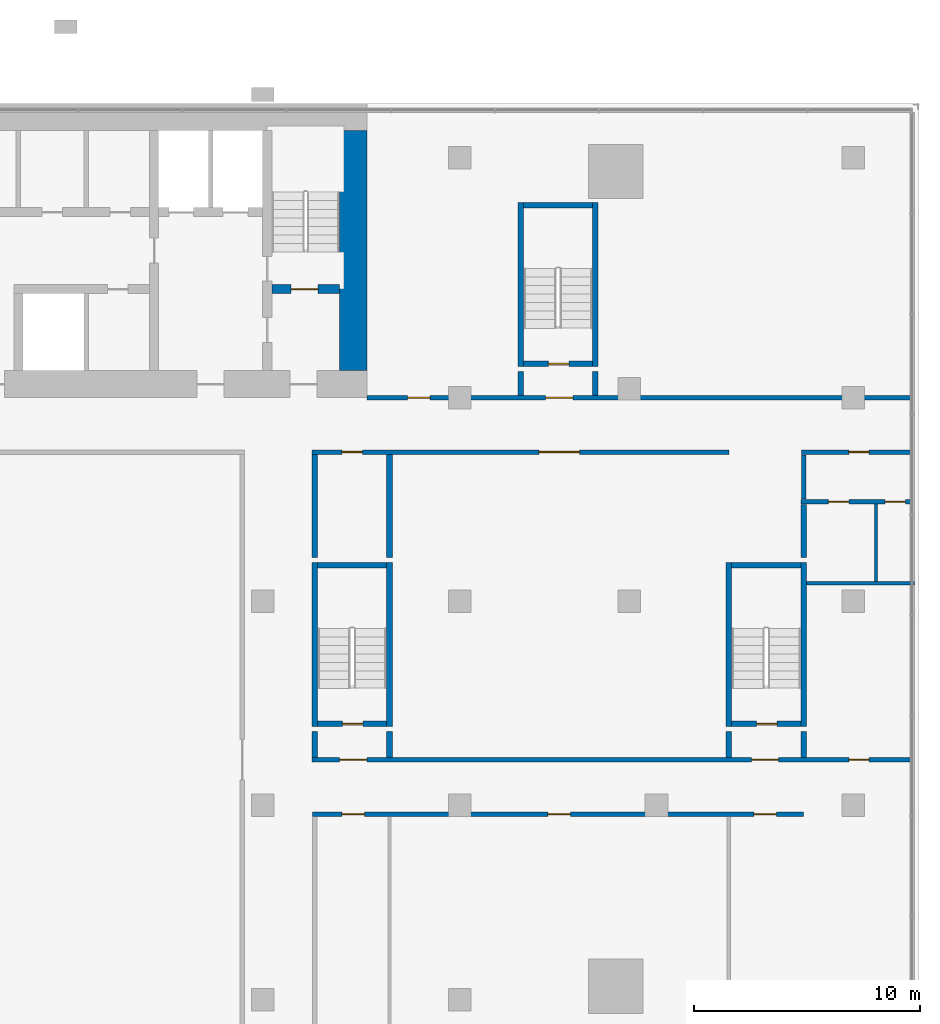
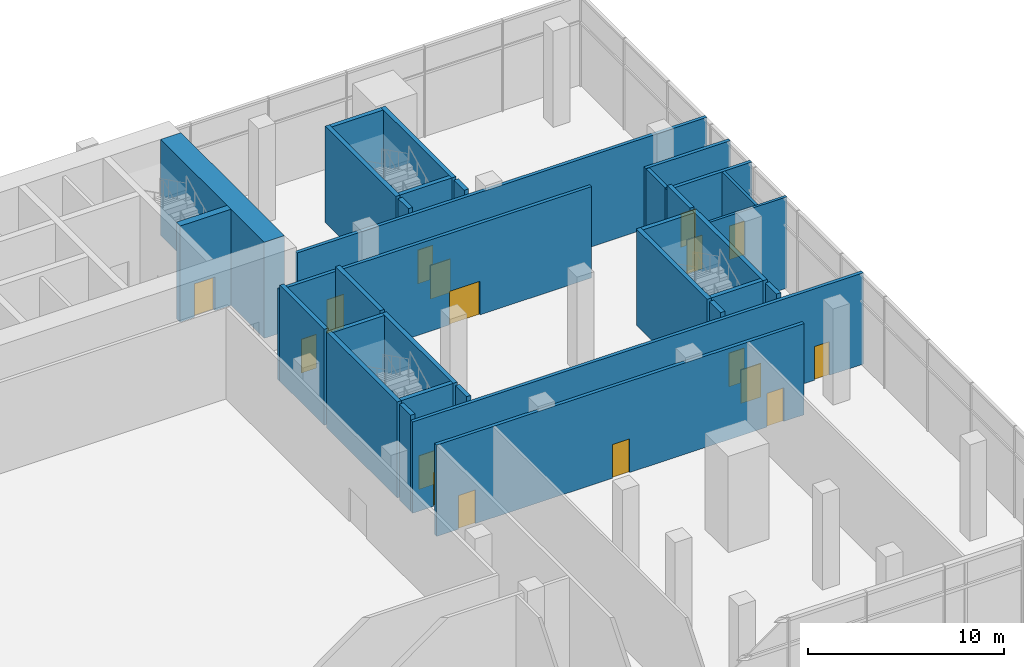
# One storey, part 15 of 21: 32 walls, 17 doors, 17 openings.
"""IFC4 building model written with IfcOpenShell, lengths in metres."""

from ifc_helpers import new_model, si_unit, direction, frame, frame_2d, origin, place, context, subcontext, project, spatial, rectangle, extrude, material, layer, layer_set, type_object, element, fill, save


model = new_model("IFC4")

# Units and contexts
model_context = context("Model", 3, precision=1e-05, world=origin(), true_north=direction((0.0, 1.0)))
body_context = subcontext(model_context, "Body", "Model", "MODEL_VIEW")
ifc_project = project(units=[si_unit("LENGTHUNIT", "METRE"), si_unit("AREAUNIT", "SQUARE_METRE"), si_unit("VOLUMEUNIT", "CUBIC_METRE"), si_unit("PLANEANGLEUNIT", "RADIAN"), si_unit("MASSUNIT", "GRAM", prefix="KILO")], contexts=[model_context])

# Site, building, storey
site_placement = place(None, origin())
site = spatial("IfcSite", under=ifc_project, at=site_placement, CompositionType="ELEMENT")
building_placement = place(site_placement, origin())
building = spatial("IfcBuilding", under=site, at=building_placement, Name="Bicima Exchange Tower", CompositionType="ELEMENT")
storey_placement = place(building_placement, frame((0.0, 0.0, 8.0)))
storey = spatial("IfcBuildingStorey", under=building, at=storey_placement, Name="L01", CompositionType="ELEMENT", Elevation=8.0)

# Wall, openings, doors
ifc_material_1 = material(Name="Gypsum board partition")
ifc_layer_1 = layer(ifc_material_1, 0.199951171875)
ifc_layer_set_1 = layer_set([ifc_layer_1], Name="Gypsum board partition")
wall_type_1 = type_object("IfcWallType", Name="Fire-rated gypsum partition 200 EI60", PredefinedType="PARTITIONING", material=ifc_layer_set_1)
wall_1_placement = place(storey_placement, frame((19.60009765625, -31.39990234375, 0.0), z_axis=(0.0, 0.0, 1.0), x_axis=(1.0, 0.0, 0.0)))
wall_1 = element("IfcWall", 1, at=wall_1_placement, inside=storey, type_object=wall_type_1, Name="partition wall 4", PredefinedType="PARTITIONING", context=body_context, shape_type="SweptSolid", body=[
    extrude(rectangle(XDim=21.699951171875, YDim=0.199951171875, at=frame_2d((10.85009765625, 0.0))), origin(), (0.0, 0.0, 1.0), 5.699951171875),
])
opening_1_placement = place(wall_1_placement, frame((1.300048828125, 0.0, 0.0)))
opening_1 = element("IfcOpeningElement", 2, at=opening_1_placement, cuts=wall_1, Name="Opening L01-027", PredefinedType="OPENING", context=body_context, shape_type="SweptSolid", body=[
    extrude(rectangle(XDim=1.0, YDim=2.10009765625, at=frame_2d((0.5, 1.050048828125))), frame((0.0, 0.11181640625, 0.0), z_axis=(0.0, -1.0, 0.0), x_axis=(1.0, 0.0, 0.0)), (0.0, 0.0, 1.0), 0.223876953125),
])
opening_2_placement = place(wall_1_placement, frame((10.39990234375, 0.0, 0.0)))
opening_2 = element("IfcOpeningElement", 3, at=opening_2_placement, cuts=wall_1, Name="Opening L01-029", PredefinedType="OPENING", context=body_context, shape_type="SweptSolid", body=[
    extrude(rectangle(XDim=1.0, YDim=2.10009765625, at=frame_2d((0.5, 1.050048828125))), frame((0.0, 0.11181640625, 0.0), z_axis=(0.0, -1.0, 0.0), x_axis=(1.0, 0.0, 0.0)), (0.0, 0.0, 1.0), 0.223876953125),
])
opening_3_placement = place(wall_1_placement, frame((19.5, 0.0, 0.0)))
opening_3 = element("IfcOpeningElement", 4, at=opening_3_placement, cuts=wall_1, Name="Opening L01-031", PredefinedType="OPENING", context=body_context, shape_type="SweptSolid", body=[
    extrude(rectangle(XDim=1.0, YDim=2.10009765625, at=frame_2d((0.5, 1.050048828125))), frame((0.0, 0.11181640625, 0.0), z_axis=(0.0, -1.0, 0.0), x_axis=(1.0, 0.0, 0.0)), (0.0, 0.0, 1.0), 0.223876953125),
])
ifc_material_2 = material(Name="Steel fire door leaf", Category="steel")
door_type_1 = type_object("IfcDoorType", Name="Door 1000 swing FD30S", OperationType="SINGLE_SWING_LEFT", PredefinedType="DOOR", material=ifc_material_2)
door_1_placement = place(opening_1_placement, frame((1.0, 0.0, 0.0), z_axis=(0.0, 0.0, 1.0), x_axis=(-1.0, 0.0, 0.0)))
door_1 = element("IfcDoor", 5, at=door_1_placement, inside=storey, type_object=door_type_1, Name="Door", OperationType="SINGLE_SWING_RIGHT", OverallHeight=2.10009765625, OverallWidth=1.0, PredefinedType="DOOR", context=body_context, shape_type="SweptSolid", body=[
    extrude(rectangle(XDim=1.0, YDim=2.10009765625, at=frame_2d((0.5, 1.050048828125))), frame((0.0, 0.02490234375, 0.0), z_axis=(0.0, -1.0, 0.0), x_axis=(1.0, 0.0, 0.0)), (0.0, 0.0, 1.0), 0.050048828125),
])
fill(opening_1, door_1)
door_2_placement = place(opening_2_placement, frame((1.0, 0.0, 0.0), z_axis=(0.0, 0.0, 1.0), x_axis=(-1.0, 0.0, 0.0)))
door_2 = element("IfcDoor", 6, at=door_2_placement, inside=storey, type_object=door_type_1, Name="Door", OperationType="SINGLE_SWING_RIGHT", OverallHeight=2.10009765625, OverallWidth=1.0, PredefinedType="DOOR", context=body_context, shape_type="SweptSolid", body=[
    extrude(rectangle(XDim=1.0, YDim=2.10009765625, at=frame_2d((0.5, 1.050048828125))), frame((0.0, 0.02490234375, 0.0), z_axis=(0.0, -1.0, 0.0), x_axis=(1.0, 0.0, 0.0)), (0.0, 0.0, 1.0), 0.050048828125),
])
fill(opening_2, door_2)
door_3_placement = place(opening_3_placement, frame((1.0, 0.0, 0.0), z_axis=(0.0, 0.0, 1.0), x_axis=(-1.0, 0.0, 0.0)))
door_3 = element("IfcDoor", 7, at=door_3_placement, inside=storey, type_object=door_type_1, Name="Door", OperationType="SINGLE_SWING_LEFT", OverallHeight=2.10009765625, OverallWidth=1.0, PredefinedType="DOOR", context=body_context, shape_type="SweptSolid", body=[
    extrude(rectangle(XDim=1.0, YDim=2.10009765625, at=frame_2d((0.5, 1.050048828125))), frame((0.0, 0.02490234375, 0.0), z_axis=(0.0, -1.0, 0.0), x_axis=(1.0, 0.0, 0.0)), (0.0, 0.0, 1.0), 0.050048828125),
])
fill(opening_3, door_3)

wall_2_placement = place(storey_placement, frame((19.574951171875, -29.0, 0.0), z_axis=(0.0, 0.0, 1.0), x_axis=(1.0, 0.0, 0.0)))
wall_2 = element("IfcWall", 8, at=wall_2_placement, inside=storey, type_object=wall_type_1, Name="partition wall 6", PredefinedType="PARTITIONING", context=body_context, shape_type="SweptSolid", body=[
    extrude(rectangle(XDim=26.614990234375, YDim=0.199951171875, at=frame_2d((13.3076171875, 0.0))), origin(), (0.0, 0.0, 1.0), 5.699951171875),
])
opening_4_placement = place(wall_2_placement, frame((1.22509765625, 0.0, 0.0)))
opening_4 = element("IfcOpeningElement", 9, at=opening_4_placement, cuts=wall_2, Name="Opening L01-005", PredefinedType="OPENING", context=body_context, shape_type="SweptSolid", body=[
    extrude(rectangle(XDim=1.199951171875, YDim=2.10009765625, at=frame_2d((0.60009765625, 1.050048828125))), frame((0.0, 0.11181640625, 0.0), z_axis=(0.0, -1.0, 0.0), x_axis=(1.0, 0.0, 0.0)), (0.0, 0.0, 1.0), 0.223876953125),
])
opening_5_placement = place(wall_2_placement, frame((19.425048828125, 0.0, 0.0)))
opening_5 = element("IfcOpeningElement", 10, at=opening_5_placement, cuts=wall_2, Name="Opening L01-007", PredefinedType="OPENING", context=body_context, shape_type="SweptSolid", body=[
    extrude(rectangle(XDim=1.199951171875, YDim=2.10009765625, at=frame_2d((0.60009765625, 1.050048828125))), frame((0.0, 0.11181640625, 0.0), z_axis=(0.0, -1.0, 0.0), x_axis=(1.0, 0.0, 0.0)), (0.0, 0.0, 1.0), 0.223876953125),
])
opening_6_placement = place(wall_2_placement, frame((23.72509765625, 0.0, 0.0)))
opening_6 = element("IfcOpeningElement", 11, at=opening_6_placement, cuts=wall_2, Name="Opening L01-030", PredefinedType="OPENING", context=body_context, shape_type="SweptSolid", body=[
    extrude(rectangle(XDim=0.89990234375, YDim=2.10009765625, at=frame_2d((0.449951171875, 1.050048828125))), frame((0.0, 0.11181640625, 0.0), z_axis=(0.0, -1.0, 0.0), x_axis=(1.0, 0.0, 0.0)), (0.0, 0.0, 1.0), 0.223876953125),
])
door_type_2 = type_object("IfcDoorType", Name="Door 1200 swing FD30S", OperationType="SINGLE_SWING_LEFT", PredefinedType="DOOR", material=ifc_material_2)
door_4_placement = place(opening_4_placement, origin())
door_4 = element("IfcDoor", 12, at=door_4_placement, inside=storey, type_object=door_type_2, Name="Door", OperationType="SINGLE_SWING_LEFT", OverallHeight=2.10009765625, OverallWidth=1.199951171875, PredefinedType="DOOR", context=body_context, shape_type="SweptSolid", body=[
    extrude(rectangle(XDim=1.199951171875, YDim=2.10009765625, at=frame_2d((0.60009765625, 1.050048828125))), frame((0.0, 0.02490234375, 0.0), z_axis=(0.0, -1.0, 0.0), x_axis=(1.0, 0.0, 0.0)), (0.0, 0.0, 1.0), 0.050048828125),
])
fill(opening_4, door_4)
door_5_placement = place(opening_5_placement, origin())
door_5 = element("IfcDoor", 13, at=door_5_placement, inside=storey, type_object=door_type_2, Name="Door", OperationType="SINGLE_SWING_LEFT", OverallHeight=2.10009765625, OverallWidth=1.199951171875, PredefinedType="DOOR", context=body_context, shape_type="SweptSolid", body=[
    extrude(rectangle(XDim=1.199951171875, YDim=2.10009765625, at=frame_2d((0.60009765625, 1.050048828125))), frame((0.0, 0.02490234375, 0.0), z_axis=(0.0, -1.0, 0.0), x_axis=(1.0, 0.0, 0.0)), (0.0, 0.0, 1.0), 0.050048828125),
])
fill(opening_5, door_5)
door_type_3 = type_object("IfcDoorType", Name="Door 900 swing FD30S", OperationType="SINGLE_SWING_LEFT", PredefinedType="DOOR", material=ifc_material_2)
door_6_placement = place(opening_6_placement, origin())
door_6 = element("IfcDoor", 14, at=door_6_placement, inside=storey, type_object=door_type_3, Name="Door", OperationType="SINGLE_SWING_RIGHT", OverallHeight=2.10009765625, OverallWidth=0.89990234375, PredefinedType="DOOR", context=body_context, shape_type="SweptSolid", body=[
    extrude(rectangle(XDim=0.89990234375, YDim=2.10009765625, at=frame_2d((0.449951171875, 1.050048828125))), frame((0.0, 0.02490234375, 0.0), z_axis=(0.0, -1.0, 0.0), x_axis=(1.0, 0.0, 0.0)), (0.0, 0.0, 1.0), 0.050048828125),
])
fill(opening_6, door_6)

wall_3_placement = place(storey_placement, frame((41.175048828125, -17.60009765625, 0.0), z_axis=(0.0, 0.0, 1.0), x_axis=(1.0, 0.0, 0.0)))
wall_3 = element("IfcWall", 15, at=wall_3_placement, inside=storey, type_object=wall_type_1, Name="partition wall 16", PredefinedType="PARTITIONING", context=body_context, shape_type="SweptSolid", body=[
    extrude(rectangle(XDim=5.014892578125, YDim=0.199951171875, at=frame_2d((2.50732421875, 0.0))), origin(), (0.0, 0.0, 1.0), 5.699951171875),
])
opening_7_placement = place(wall_3_placement, frame((1.22509765625, 0.0, 0.0)))
opening_7 = element("IfcOpeningElement", 16, at=opening_7_placement, cuts=wall_3, Name="Opening L01-033", PredefinedType="OPENING", context=body_context, shape_type="SweptSolid", body=[
    extrude(rectangle(XDim=0.89990234375, YDim=2.10009765625, at=frame_2d((0.449951171875, 1.050048828125))), frame((0.0, 0.11181640625, 0.0), z_axis=(0.0, -1.0, 0.0), x_axis=(1.0, 0.0, 0.0)), (0.0, 0.0, 1.0), 0.223876953125),
])
opening_8_placement = place(wall_3_placement, frame((3.72509765625, 0.0, 0.0)))
opening_8 = element("IfcOpeningElement", 17, at=opening_8_placement, cuts=wall_3, Name="Opening L01-034", PredefinedType="OPENING", context=body_context, shape_type="SweptSolid", body=[
    extrude(rectangle(XDim=0.89990234375, YDim=2.10009765625, at=frame_2d((0.449951171875, 1.050048828125))), frame((0.0, 0.11181640625, 0.0), z_axis=(0.0, -1.0, 0.0), x_axis=(1.0, 0.0, 0.0)), (0.0, 0.0, 1.0), 0.223876953125),
])
door_7_placement = place(opening_7_placement, frame((0.89990234375, 0.0, 0.0), z_axis=(0.0, 0.0, 1.0), x_axis=(-1.0, 0.0, 0.0)))
door_7 = element("IfcDoor", 18, at=door_7_placement, inside=storey, type_object=door_type_3, Name="Door", OperationType="SINGLE_SWING_RIGHT", OverallHeight=2.10009765625, OverallWidth=0.89990234375, PredefinedType="DOOR", context=body_context, shape_type="SweptSolid", body=[
    extrude(rectangle(XDim=0.89990234375, YDim=2.10009765625, at=frame_2d((0.449951171875, 1.050048828125))), frame((0.0, 0.02490234375, 0.0), z_axis=(0.0, -1.0, 0.0), x_axis=(1.0, 0.0, 0.0)), (0.0, 0.0, 1.0), 0.050048828125),
])
fill(opening_7, door_7)
door_8_placement = place(opening_8_placement, frame((0.89990234375, 0.0, 0.0), z_axis=(0.0, 0.0, 1.0), x_axis=(-1.0, 0.0, 0.0)))
door_8 = element("IfcDoor", 19, at=door_8_placement, inside=storey, type_object=door_type_3, Name="Door", OperationType="SINGLE_SWING_LEFT", OverallHeight=2.10009765625, OverallWidth=0.89990234375, PredefinedType="DOOR", context=body_context, shape_type="SweptSolid", body=[
    extrude(rectangle(XDim=0.89990234375, YDim=2.10009765625, at=frame_2d((0.449951171875, 1.050048828125))), frame((0.0, 0.02490234375, 0.0), z_axis=(0.0, -1.0, 0.0), x_axis=(1.0, 0.0, 0.0)), (0.0, 0.0, 1.0), 0.050048828125),
])
fill(opening_8, door_8)

wall_4_placement = place(storey_placement, frame((19.574951171875, -15.39990234375, 0.0), z_axis=(0.0, 0.0, 1.0), x_axis=(1.0, 0.0, 0.0)))
wall_4 = element("IfcWall", 20, at=wall_4_placement, inside=storey, type_object=wall_type_1, Name="partition wall 19", PredefinedType="PARTITIONING", context=body_context, shape_type="SweptSolid", body=[
    extrude(rectangle(XDim=18.425048828125, YDim=0.199951171875, at=frame_2d((9.21240234375, 0.0))), origin(), (0.0, 0.0, 1.0), 5.699951171875),
])
opening_9_placement = place(wall_4_placement, frame((1.324951171875, 0.0, 0.0)))
opening_9 = element("IfcOpeningElement", 21, at=opening_9_placement, cuts=wall_4, Name="Opening L01-026", PredefinedType="OPENING", context=body_context, shape_type="SweptSolid", body=[
    extrude(rectangle(XDim=0.89990234375, YDim=2.10009765625, at=frame_2d((0.449951171875, 1.050048828125))), frame((0.0, 0.11181640625, 0.0), z_axis=(0.0, -1.0, 0.0), x_axis=(1.0, 0.0, 0.0)), (0.0, 0.0, 1.0), 0.223876953125),
])
opening_10_placement = place(wall_4_placement, frame((10.02490234375, 0.0, 0.0)))
opening_10 = element("IfcOpeningElement", 22, at=opening_10_placement, cuts=wall_4, Name="Opening L01-028", PredefinedType="OPENING", context=body_context, shape_type="SweptSolid", body=[
    extrude(rectangle(XDim=1.800048828125, YDim=2.10009765625, at=frame_2d((0.89990234375, 1.050048828125))), frame((0.0, 0.11181640625, 0.0), z_axis=(0.0, -1.0, 0.0), x_axis=(1.0, 0.0, 0.0)), (0.0, 0.0, 1.0), 0.223876953125),
])
door_type_4 = type_object("IfcDoorType", Name="Door 1800 double swing FD30S", OperationType="DOUBLE_DOOR_SINGLE_SWING", PredefinedType="DOOR", material=ifc_material_2)
door_9_placement = place(opening_10_placement, origin())
door_9 = element("IfcDoor", 23, at=door_9_placement, inside=storey, type_object=door_type_4, Name="Door", OperationType="SINGLE_SWING_LEFT", OverallHeight=2.10009765625, OverallWidth=1.800048828125, PredefinedType="DOOR", context=body_context, shape_type="SweptSolid", body=[
    extrude(rectangle(XDim=1.800048828125, YDim=2.10009765625, at=frame_2d((0.89990234375, 1.050048828125))), frame((0.0, 0.02490234375, 0.0), z_axis=(0.0, -1.0, 0.0), x_axis=(1.0, 0.0, 0.0)), (0.0, 0.0, 1.0), 0.050048828125),
])
fill(opening_10, door_9)
door_10_placement = place(opening_9_placement, frame((0.89990234375, 0.0, 0.0), z_axis=(0.0, 0.0, 1.0), x_axis=(-1.0, 0.0, 0.0)))
door_10 = element("IfcDoor", 24, at=door_10_placement, inside=storey, type_object=door_type_3, Name="Door", OperationType="SINGLE_SWING_RIGHT", OverallHeight=2.10009765625, OverallWidth=0.89990234375, PredefinedType="DOOR", context=body_context, shape_type="SweptSolid", body=[
    extrude(rectangle(XDim=0.89990234375, YDim=2.10009765625, at=frame_2d((0.449951171875, 1.050048828125))), frame((0.0, 0.02490234375, 0.0), z_axis=(0.0, -1.0, 0.0), x_axis=(1.0, 0.0, 0.0)), (0.0, 0.0, 1.0), 0.050048828125),
])
fill(opening_9, door_10)

# Wall, opening, door
wall_5_placement = place(storey_placement, frame((41.199951171875, -15.39990234375, 0.0), z_axis=(0.0, 0.0, 1.0), x_axis=(1.0, 0.0, 0.0)))
wall_5 = element("IfcWall", 25, at=wall_5_placement, inside=storey, type_object=wall_type_1, Name="partition wall 20", PredefinedType="PARTITIONING", context=body_context, shape_type="SweptSolid", body=[
    extrude(rectangle(XDim=4.989990234375, YDim=0.199951171875, at=frame_2d((2.4951171875, 0.0))), origin(), (0.0, 0.0, 1.0), 5.699951171875),
])
opening_11_placement = place(wall_5_placement, frame((2.10009765625, 0.0, 0.0)))
opening_11 = element("IfcOpeningElement", 26, at=opening_11_placement, cuts=wall_5, Name="Opening L01-032", PredefinedType="OPENING", context=body_context, shape_type="SweptSolid", body=[
    extrude(rectangle(XDim=0.89990234375, YDim=2.10009765625, at=frame_2d((0.449951171875, 1.050048828125))), frame((0.0, 0.11181640625, 0.0), z_axis=(0.0, -1.0, 0.0), x_axis=(1.0, 0.0, 0.0)), (0.0, 0.0, 1.0), 0.223876953125),
])
door_11_placement = place(opening_11_placement, frame((0.89990234375, 0.0, 0.0), z_axis=(0.0, 0.0, 1.0), x_axis=(-1.0, 0.0, 0.0)))
door_11 = element("IfcDoor", 27, at=door_11_placement, inside=storey, type_object=door_type_3, Name="Door", OperationType="SINGLE_SWING_RIGHT", OverallHeight=2.10009765625, OverallWidth=0.89990234375, PredefinedType="DOOR", context=body_context, shape_type="SweptSolid", body=[
    extrude(rectangle(XDim=0.89990234375, YDim=2.10009765625, at=frame_2d((0.449951171875, 1.050048828125))), frame((0.0, 0.02490234375, 0.0), z_axis=(0.0, -1.0, 0.0), x_axis=(1.0, 0.0, 0.0)), (0.0, 0.0, 1.0), 0.050048828125),
])
fill(opening_11, door_11)

# Wall, openings, doors
wall_6_placement = place(storey_placement, frame((22.0, -13.0, 0.0), z_axis=(0.0, 0.0, 1.0), x_axis=(1.0, 0.0, 0.0)))
wall_6 = element("IfcWall", 28, at=wall_6_placement, inside=storey, type_object=wall_type_1, Name="partition wall 22", PredefinedType="PARTITIONING", context=body_context, shape_type="SweptSolid", body=[
    extrude(rectangle(XDim=24.18994140625, YDim=0.199951171875, at=frame_2d((12.094970703125, 0.0))), origin(), (0.0, 0.0, 1.0), 5.699951171875),
])
opening_12_placement = place(wall_6_placement, frame((7.89990234375, 0.0, 0.0)))
opening_12 = element("IfcOpeningElement", 29, at=opening_12_placement, cuts=wall_6, Name="Opening L01-011", PredefinedType="OPENING", context=body_context, shape_type="SweptSolid", body=[
    extrude(rectangle(XDim=1.199951171875, YDim=2.10009765625, at=frame_2d((0.60009765625, 1.050048828125))), frame((0.0, 0.11181640625, 0.0), z_axis=(0.0, -1.0, 0.0), x_axis=(1.0, 0.0, 0.0)), (0.0, 0.0, 1.0), 0.223876953125),
])
opening_13_placement = place(wall_6_placement, frame((1.800048828125, 0.0, 0.0)))
opening_13 = element("IfcOpeningElement", 30, at=opening_13_placement, cuts=wall_6, Name="Opening L01-016", PredefinedType="OPENING", context=body_context, shape_type="SweptSolid", body=[
    extrude(rectangle(XDim=1.0, YDim=2.10009765625, at=frame_2d((0.5, 1.050048828125))), frame((0.0, 0.11181640625, 0.0), z_axis=(0.0, -1.0, 0.0), x_axis=(1.0, 0.0, 0.0)), (0.0, 0.0, 1.0), 0.223876953125),
])
door_12_placement = place(opening_13_placement, origin())
door_12 = element("IfcDoor", 31, at=door_12_placement, inside=storey, type_object=door_type_1, Name="Door", OperationType="SINGLE_SWING_LEFT", OverallHeight=2.10009765625, OverallWidth=1.0, PredefinedType="DOOR", context=body_context, shape_type="SweptSolid", body=[
    extrude(rectangle(XDim=1.0, YDim=2.10009765625, at=frame_2d((0.5, 1.050048828125))), frame((0.0, 0.02490234375, 0.0), z_axis=(0.0, -1.0, 0.0), x_axis=(1.0, 0.0, 0.0)), (0.0, 0.0, 1.0), 0.050048828125),
])
fill(opening_13, door_12)
door_13_placement = place(opening_12_placement, origin())
door_13 = element("IfcDoor", 32, at=door_13_placement, inside=storey, type_object=door_type_2, Name="Door", OperationType="SINGLE_SWING_LEFT", OverallHeight=2.10009765625, OverallWidth=1.199951171875, PredefinedType="DOOR", context=body_context, shape_type="SweptSolid", body=[
    extrude(rectangle(XDim=1.199951171875, YDim=2.10009765625, at=frame_2d((0.60009765625, 1.050048828125))), frame((0.0, 0.02490234375, 0.0), z_axis=(0.0, -1.0, 0.0), x_axis=(1.0, 0.0, 0.0)), (0.0, 0.0, 1.0), 0.050048828125),
])
fill(opening_12, door_13)

# Walls
wall_7_placement = place(storey_placement, frame((41.300048828125, -17.47998046875, 0.0), z_axis=(0.0, 0.0, 1.0), x_axis=(0.0, 1.0, 0.0)))
element("IfcWall", 33, at=wall_7_placement, inside=storey, type_object=wall_type_1, Name="partition wall 51", PredefinedType="PARTITIONING", context=body_context, shape_type="SweptSolid", body=[
    extrude(rectangle(XDim=1.9599609375, YDim=0.199951171875, at=frame_2d((0.97998046875, 0.0))), origin(), (0.0, 0.0, 1.0), 5.699951171875),
])
ifc_layer_2 = layer(ifc_material_1, 0.14990234375)
ifc_layer_set_2 = layer_set([ifc_layer_2], Name="Gypsum board partition")
wall_type_2 = type_object("IfcWallType", Name="Gypsum partition 150", PredefinedType="PARTITIONING", material=ifc_layer_set_2)
wall_8_placement = place(storey_placement, frame((41.425048828125, -21.199951171875, 0.0), z_axis=(0.0, 0.0, 1.0), x_axis=(1.0, 0.0, 0.0)))
element("IfcWall", 34, at=wall_8_placement, inside=storey, type_object=wall_type_2, Name="partition wall 11", PredefinedType="PARTITIONING", context=body_context, shape_type="SweptSolid", body=[
    extrude(rectangle(XDim=4.764892578125, YDim=0.14990234375, at=frame_2d((2.38232421875, 0.0))), origin(), (0.0, 0.0, 1.0), 5.699951171875),
])
wall_9_placement = place(storey_placement, frame((44.5, -21.125, 0.0), z_axis=(0.0, 0.0, 1.0), x_axis=(0.0, 1.0, 0.0)))
element("IfcWall", 35, at=wall_9_placement, inside=storey, type_object=wall_type_2, Name="partition wall 52", PredefinedType="PARTITIONING", context=body_context, shape_type="SweptSolid", body=[
    extrude(rectangle(XDim=3.425048828125, YDim=0.14990234375, at=frame_2d((1.71240234375, 0.0))), origin(), (0.0, 0.0, 1.0), 5.699951171875),
])
ifc_material_3 = material(Name="Concrete C60/75", Category="concrete")
ifc_layer_3 = layer(ifc_material_3, 1.199951171875)
ifc_layer_set_3 = layer_set([ifc_layer_3], Name="Concrete C60/75")
wall_type_3 = type_object("IfcWallType", Name="RC core wall 1200 C60/75", PredefinedType="SHEAR", material=ifc_layer_set_3)
wall_10_placement = place(storey_placement, frame((21.39990234375, -11.800048828125, 0.0), z_axis=(0.0, 0.0, 1.0), x_axis=(0.0, 1.0, 0.0)))
element("IfcWall", 36, at=wall_10_placement, inside=storey, type_object=wall_type_3, Name="Core wall east", PredefinedType="SHEAR", context=body_context, shape_type="SweptSolid", body=[
    extrude(rectangle(XDim=10.60009765625, YDim=1.199951171875, at=frame_2d((5.300048828125, 0.0))), origin(), (0.0, 0.0, 1.0), 6.0),
])
ifc_material_4 = material(Name="Concrete C50/60", Category="concrete")
ifc_layer_4 = layer(ifc_material_4, 0.25)
ifc_layer_set_4 = layer_set([ifc_layer_4], Name="Concrete C50/60")
wall_type_4 = type_object("IfcWallType", Name="RC core wall 250 C50/60", PredefinedType="SHEAR", material=ifc_layer_set_4)
wall_11_placement = place(storey_placement, frame((19.699951171875, -28.89990234375, 0.0), z_axis=(0.0, 0.0, 1.0), x_axis=(0.0, 1.0, 0.0)))
element("IfcWall", 37, at=wall_11_placement, inside=storey, type_object=wall_type_4, Name="stair wall 43", PredefinedType="SHEAR", context=body_context, shape_type="SweptSolid", body=[
    extrude(rectangle(XDim=1.14990234375, YDim=0.25, at=frame_2d((0.574951171875, 0.0))), origin(), (0.0, 0.0, 1.0), 6.0),
])
wall_12_placement = place(storey_placement, frame((19.699951171875, -20.050048828125, 0.0), z_axis=(0.0, 0.0, 1.0), x_axis=(0.0, 1.0, 0.0)))
element("IfcWall", 38, at=wall_12_placement, inside=storey, type_object=wall_type_4, Name="stair wall 43", PredefinedType="SHEAR", context=body_context, shape_type="SweptSolid", body=[
    extrude(rectangle(XDim=4.550048828125, YDim=0.25, at=frame_2d((2.27490234375, 0.0))), origin(), (0.0, 0.0, 1.0), 6.0),
])
wall_13_placement = place(storey_placement, frame((23.0, -28.89990234375, 0.0), z_axis=(0.0, 0.0, 1.0), x_axis=(0.0, 1.0, 0.0)))
element("IfcWall", 39, at=wall_13_placement, inside=storey, type_object=wall_type_4, Name="stair wall 45", PredefinedType="SHEAR", context=body_context, shape_type="SweptSolid", body=[
    extrude(rectangle(XDim=1.14990234375, YDim=0.25, at=frame_2d((0.574951171875, 0.0))), origin(), (0.0, 0.0, 1.0), 6.0),
])
wall_14_placement = place(storey_placement, frame((23.0, -20.050048828125, 0.0), z_axis=(0.0, 0.0, 1.0), x_axis=(0.0, 1.0, 0.0)))
element("IfcWall", 40, at=wall_14_placement, inside=storey, type_object=wall_type_4, Name="stair wall 45", PredefinedType="SHEAR", context=body_context, shape_type="SweptSolid", body=[
    extrude(rectangle(XDim=4.550048828125, YDim=0.25, at=frame_2d((2.27490234375, 0.0))), origin(), (0.0, 0.0, 1.0), 6.0),
])
for number, where, z_axis, x_axis, name in (
    (41, (28.800048828125, -12.89990234375, 0.0), (0.0, 0.0, 1.0), (0.0, 1.0, 0.0), "stair wall 46"),
    (42, (32.10009765625, -12.89990234375, 0.0), (0.0, 0.0, 1.0), (0.0, 1.0, 0.0), "stair wall 47"),
):
    element("IfcWall", number, at=place(storey_placement, frame(where, z_axis=z_axis, x_axis=x_axis)), inside=storey, type_object=wall_type_4, Name=name, PredefinedType="SHEAR", context=body_context, shape_type="SweptSolid", body=[
        extrude(rectangle(XDim=1.0498046875, YDim=0.25, at=frame_2d((0.52490234375, 0.0))), origin(), (0.0, 0.0, 1.0), 6.0),
    ])
for number, where, z_axis, x_axis, name in (
    (43, (38.0, -28.89990234375, 0.0), (0.0, 0.0, 1.0), (0.0, 1.0, 0.0), "stair wall 49"),
    (44, (41.300048828125, -28.89990234375, 0.0), (0.0, 0.0, 1.0), (0.0, 1.0, 0.0), "stair wall 50"),
):
    element("IfcWall", number, at=place(storey_placement, frame(where, z_axis=z_axis, x_axis=x_axis)), inside=storey, type_object=wall_type_4, Name=name, PredefinedType="SHEAR", context=body_context, shape_type="SweptSolid", body=[
        extrude(rectangle(XDim=1.14990234375, YDim=0.25, at=frame_2d((0.574951171875, 0.0))), origin(), (0.0, 0.0, 1.0), 6.0),
    ])
wall_15_placement = place(storey_placement, frame((41.300048828125, -20.050048828125, 0.0), z_axis=(0.0, 0.0, 1.0), x_axis=(0.0, 1.0, 0.0)))
element("IfcWall", 45, at=wall_15_placement, inside=storey, type_object=wall_type_4, Name="stair wall 50", PredefinedType="SHEAR", context=body_context, shape_type="SweptSolid", body=[
    extrude(rectangle(XDim=2.330078125, YDim=0.25, at=frame_2d((1.1650390625, 0.0))), origin(), (0.0, 0.0, 1.0), 6.0),
])

# Wall, opening, door
ifc_layer_5 = layer(ifc_material_4, 0.39990234375)
ifc_layer_set_5 = layer_set([ifc_layer_5], Name="Concrete C50/60")
wall_type_5 = type_object("IfcWallType", Name="RC core wall 400 C50/60", PredefinedType="SHEAR", material=ifc_layer_set_5)
wall_16_placement = place(storey_placement, frame((17.800048828125, -8.199951171875, 0.0), z_axis=(0.0, 0.0, 1.0), x_axis=(1.0, 0.0, 0.0)))
wall_16 = element("IfcWall", 46, at=wall_16_placement, inside=storey, type_object=wall_type_5, Name="stair wall 5", PredefinedType="SHEAR", context=body_context, shape_type="SweptSolid", body=[
    extrude(rectangle(XDim=3.0, YDim=0.39990234375, at=frame_2d((1.5, 0.0))), origin(), (0.0, 0.0, 1.0), 6.0),
])
opening_14_placement = place(wall_16_placement, frame((0.85009765625, 0.0, 0.0)))
opening_14 = element("IfcOpeningElement", 47, at=opening_14_placement, cuts=wall_16, Name="Opening L01-C04", PredefinedType="OPENING", context=body_context, shape_type="SweptSolid", body=[
    extrude(rectangle(XDim=1.199951171875, YDim=2.10009765625, at=frame_2d((0.60009765625, 1.050048828125))), frame((0.0, 0.2119140625, 0.0), z_axis=(0.0, -1.0, 0.0), x_axis=(1.0, 0.0, 0.0)), (0.0, 0.0, 1.0), 0.423828125),
])
door_type_5 = type_object("IfcDoorType", Name="Door 1200 swing FD60S", OperationType="SINGLE_SWING_LEFT", PredefinedType="DOOR", material=ifc_material_2)
door_14_placement = place(opening_14_placement, origin())
door_14 = element("IfcDoor", 48, at=door_14_placement, inside=storey, type_object=door_type_5, Name="Core door", OperationType="SINGLE_SWING_RIGHT", OverallHeight=2.10009765625, OverallWidth=1.199951171875, PredefinedType="DOOR", context=body_context, shape_type="SweptSolid", body=[
    extrude(rectangle(XDim=1.199951171875, YDim=2.10009765625, at=frame_2d((0.60009765625, 1.050048828125))), frame((0.0, 0.02490234375, 0.0), z_axis=(0.0, -1.0, 0.0), x_axis=(1.0, 0.0, 0.0)), (0.0, 0.0, 1.0), 0.050048828125),
])
fill(opening_14, door_14)

# Walls
ifc_layer_6 = layer(ifc_material_4, 0.25)
ifc_layer_set_6 = layer_set([ifc_layer_6], Name="Concrete C50/60")
wall_type_6 = type_object("IfcWallType", Name="RC stair enclosure wall 250 C50/60", PredefinedType="SHEAR", material=ifc_layer_set_6)
for number, where, z_axis, x_axis, name in (
    (49, (28.800048828125, -11.625, 0.0), (0.0, 0.0, 1.0), (0.0, 1.0, 0.0), "East end exit stair wall W"),
    (50, (32.10009765625, -11.625, 0.0), (0.0, 0.0, 1.0), (0.0, 1.0, 0.0), "East end exit stair wall E"),
):
    element("IfcWall", number, at=place(storey_placement, frame(where, z_axis=z_axis, x_axis=x_axis)), inside=storey, type_object=wall_type_6, Name=name, PredefinedType="SHEAR", context=body_context, shape_type="SweptSolid", body=[
        extrude(rectangle(XDim=7.25, YDim=0.25, at=frame_2d((3.625, 0.0))), origin(), (0.0, 0.0, 1.0), 6.0),
    ])

# Wall, opening, door
wall_17_placement = place(storey_placement, frame((28.925048828125, -11.5, 0.0), z_axis=(0.0, 0.0, 1.0), x_axis=(1.0, 0.0, 0.0)))
wall_17 = element("IfcWall", 51, at=wall_17_placement, inside=storey, type_object=wall_type_6, Name="East end exit stair wall S", PredefinedType="SHEAR", context=body_context, shape_type="SweptSolid", body=[
    extrude(rectangle(XDim=3.050048828125, YDim=0.25, at=frame_2d((1.52490234375, 0.0))), origin(), (0.0, 0.0, 1.0), 6.0),
])
opening_15_placement = place(wall_17_placement, frame((1.10009765625, 0.0, 0.0)))
opening_15 = element("IfcOpeningElement", 52, at=opening_15_placement, cuts=wall_17, Name="Opening L01-012", PredefinedType="OPENING", context=body_context, shape_type="SweptSolid", body=[
    extrude(rectangle(XDim=0.89990234375, YDim=2.10009765625, at=frame_2d((0.449951171875, 1.050048828125))), frame((0.0, 0.136962890625, 0.0), z_axis=(0.0, -1.0, 0.0), x_axis=(1.0, 0.0, 0.0)), (0.0, 0.0, 1.0), 0.27392578125),
])
door_type_6 = type_object("IfcDoorType", Name="Door 900 swing FD60S", OperationType="SINGLE_SWING_LEFT", PredefinedType="DOOR", material=ifc_material_2)
door_15_placement = place(opening_15_placement, origin())
door_15 = element("IfcDoor", 53, at=door_15_placement, inside=storey, type_object=door_type_6, Name="Door", OperationType="SINGLE_SWING_RIGHT", OverallHeight=2.10009765625, OverallWidth=0.89990234375, PredefinedType="DOOR", context=body_context, shape_type="SweptSolid", body=[
    extrude(rectangle(XDim=0.89990234375, YDim=2.10009765625, at=frame_2d((0.449951171875, 1.050048828125))), frame((0.0, 0.02490234375, 0.0), z_axis=(0.0, -1.0, 0.0), x_axis=(1.0, 0.0, 0.0)), (0.0, 0.0, 1.0), 0.050048828125),
])
fill(opening_15, door_15)

# Walls
wall_18_placement = place(storey_placement, frame((28.925048828125, -4.5, 0.0), z_axis=(0.0, 0.0, 1.0), x_axis=(1.0, 0.0, 0.0)))
element("IfcWall", 54, at=wall_18_placement, inside=storey, type_object=wall_type_6, Name="East end exit stair wall N", PredefinedType="SHEAR", context=body_context, shape_type="SweptSolid", body=[
    extrude(rectangle(XDim=3.050048828125, YDim=0.25, at=frame_2d((1.52490234375, 0.0))), origin(), (0.0, 0.0, 1.0), 6.0),
])
for number, where, z_axis, x_axis, name in (
    (55, (19.699951171875, -27.52490234375, 0.0), (0.0, 0.0, 1.0), (0.0, 1.0, 0.0), "Podium inner east stair wall W"),
    (56, (23.0, -27.52490234375, 0.0), (0.0, 0.0, 1.0), (0.0, 1.0, 0.0), "Podium inner east stair wall E"),
):
    element("IfcWall", number, at=place(storey_placement, frame(where, z_axis=z_axis, x_axis=x_axis)), inside=storey, type_object=wall_type_6, Name=name, PredefinedType="SHEAR", context=body_context, shape_type="SweptSolid", body=[
        extrude(rectangle(XDim=7.25, YDim=0.25, at=frame_2d((3.625, 0.0))), origin(), (0.0, 0.0, 1.0), 6.0),
    ])

# Wall, opening, door
wall_19_placement = place(storey_placement, frame((19.824951171875, -27.39990234375, 0.0), z_axis=(0.0, 0.0, 1.0), x_axis=(1.0, 0.0, 0.0)))
wall_19 = element("IfcWall", 57, at=wall_19_placement, inside=storey, type_object=wall_type_6, Name="Podium inner east stair wall S", PredefinedType="SHEAR", context=body_context, shape_type="SweptSolid", body=[
    extrude(rectangle(XDim=3.050048828125, YDim=0.25, at=frame_2d((1.52490234375, 0.0))), origin(), (0.0, 0.0, 1.0), 6.0),
])
opening_16_placement = place(wall_19_placement, frame((1.10009765625, 0.0, 0.0)))
opening_16 = element("IfcOpeningElement", 58, at=opening_16_placement, cuts=wall_19, Name="Opening L01-006", PredefinedType="OPENING", context=body_context, shape_type="SweptSolid", body=[
    extrude(rectangle(XDim=0.89990234375, YDim=2.10009765625, at=frame_2d((0.449951171875, 1.050048828125))), frame((0.0, 0.136962890625, 0.0), z_axis=(0.0, -1.0, 0.0), x_axis=(1.0, 0.0, 0.0)), (0.0, 0.0, 1.0), 0.27392578125),
])
door_16_placement = place(opening_16_placement, origin())
door_16 = element("IfcDoor", 59, at=door_16_placement, inside=storey, type_object=door_type_6, Name="Door", OperationType="SINGLE_SWING_RIGHT", OverallHeight=2.10009765625, OverallWidth=0.89990234375, PredefinedType="DOOR", context=body_context, shape_type="SweptSolid", body=[
    extrude(rectangle(XDim=0.89990234375, YDim=2.10009765625, at=frame_2d((0.449951171875, 1.050048828125))), frame((0.0, 0.02490234375, 0.0), z_axis=(0.0, -1.0, 0.0), x_axis=(1.0, 0.0, 0.0)), (0.0, 0.0, 1.0), 0.050048828125),
])
fill(opening_16, door_16)

# Walls
wall_20_placement = place(storey_placement, frame((19.824951171875, -20.39990234375, 0.0), z_axis=(0.0, 0.0, 1.0), x_axis=(1.0, 0.0, 0.0)))
element("IfcWall", 60, at=wall_20_placement, inside=storey, type_object=wall_type_6, Name="Podium inner east stair wall N", PredefinedType="SHEAR", context=body_context, shape_type="SweptSolid", body=[
    extrude(rectangle(XDim=3.050048828125, YDim=0.25, at=frame_2d((1.52490234375, 0.0))), origin(), (0.0, 0.0, 1.0), 6.0),
])
for number, where, z_axis, x_axis, name in (
    (61, (38.0, -27.52490234375, 0.0), (0.0, 0.0, 1.0), (0.0, 1.0, 0.0), "Podium east stair wall W"),
    (62, (41.300048828125, -27.52490234375, 0.0), (0.0, 0.0, 1.0), (0.0, 1.0, 0.0), "Podium east stair wall E"),
):
    element("IfcWall", number, at=place(storey_placement, frame(where, z_axis=z_axis, x_axis=x_axis)), inside=storey, type_object=wall_type_6, Name=name, PredefinedType="SHEAR", context=body_context, shape_type="SweptSolid", body=[
        extrude(rectangle(XDim=7.25, YDim=0.25, at=frame_2d((3.625, 0.0))), origin(), (0.0, 0.0, 1.0), 6.0),
    ])

# Wall, opening, door
wall_21_placement = place(storey_placement, frame((38.125, -27.39990234375, 0.0), z_axis=(0.0, 0.0, 1.0), x_axis=(1.0, 0.0, 0.0)))
wall_21 = element("IfcWall", 63, at=wall_21_placement, inside=storey, type_object=wall_type_6, Name="Podium east stair wall S", PredefinedType="SHEAR", context=body_context, shape_type="SweptSolid", body=[
    extrude(rectangle(XDim=3.050048828125, YDim=0.25, at=frame_2d((1.52490234375, 0.0))), origin(), (0.0, 0.0, 1.0), 6.0),
])
opening_17_placement = place(wall_21_placement, frame((1.10009765625, 0.0, 0.0)))
opening_17 = element("IfcOpeningElement", 64, at=opening_17_placement, cuts=wall_21, Name="Opening L01-008", PredefinedType="OPENING", context=body_context, shape_type="SweptSolid", body=[
    extrude(rectangle(XDim=0.89990234375, YDim=2.10009765625, at=frame_2d((0.449951171875, 1.050048828125))), frame((0.0, 0.136962890625, 0.0), z_axis=(0.0, -1.0, 0.0), x_axis=(1.0, 0.0, 0.0)), (0.0, 0.0, 1.0), 0.27392578125),
])
door_17_placement = place(opening_17_placement, origin())
door_17 = element("IfcDoor", 65, at=door_17_placement, inside=storey, type_object=door_type_6, Name="Door", OperationType="SINGLE_SWING_LEFT", OverallHeight=2.10009765625, OverallWidth=0.89990234375, PredefinedType="DOOR", context=body_context, shape_type="SweptSolid", body=[
    extrude(rectangle(XDim=0.89990234375, YDim=2.10009765625, at=frame_2d((0.449951171875, 1.050048828125))), frame((0.0, 0.02490234375, 0.0), z_axis=(0.0, -1.0, 0.0), x_axis=(1.0, 0.0, 0.0)), (0.0, 0.0, 1.0), 0.050048828125),
])
fill(opening_17, door_17)

# Wall
wall_22_placement = place(storey_placement, frame((38.125, -20.39990234375, 0.0), z_axis=(0.0, 0.0, 1.0), x_axis=(1.0, 0.0, 0.0)))
element("IfcWall", 66, at=wall_22_placement, inside=storey, type_object=wall_type_6, Name="Podium east stair wall N", PredefinedType="SHEAR", context=body_context, shape_type="SweptSolid", body=[
    extrude(rectangle(XDim=3.050048828125, YDim=0.25, at=frame_2d((1.52490234375, 0.0))), origin(), (0.0, 0.0, 1.0), 6.0),
])

save(model, "model.ifc")
